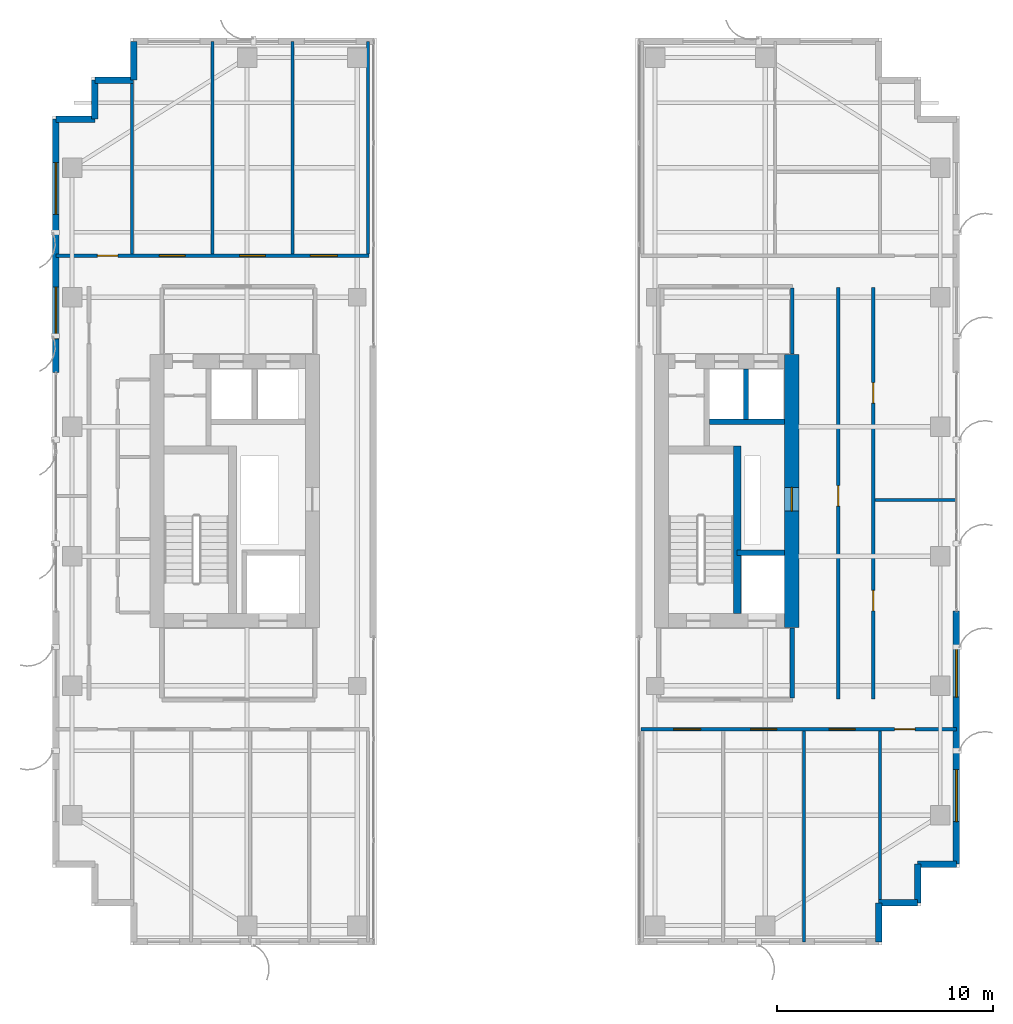
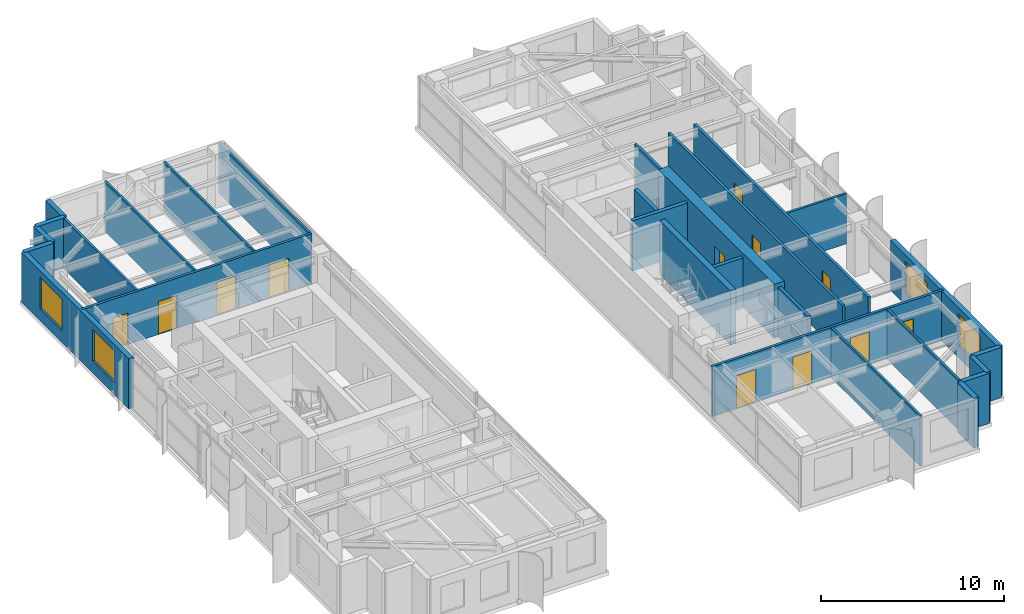
# One storey, part 18 of 22: 28 walls, 12 doors, 4 windows, 16 openings.
"""IFC4 building model written with IfcOpenShell, lengths in metres."""

from ifc_helpers import new_model, si_unit, direction, frame, frame_2d, origin, place, context, subcontext, project, spatial, rectangle, extrude, source, transform, mapped, material, layer, layer_set, type_object, element, fill, save


model = new_model("IFC4")

# Units and contexts
model_context = context("Model", 3, precision=1e-05, world=origin(), true_north=direction((0.0, 1.0)))
body_context = subcontext(model_context, "Body", "Model", "MODEL_VIEW")
ifc_project = project(units=[si_unit("LENGTHUNIT", "METRE"), si_unit("AREAUNIT", "SQUARE_METRE"), si_unit("VOLUMEUNIT", "CUBIC_METRE"), si_unit("PLANEANGLEUNIT", "RADIAN"), si_unit("MASSUNIT", "GRAM", prefix="KILO")], contexts=[model_context])

# Site, building, storey
site_placement = place(None, origin())
site = spatial("IfcSite", under=ifc_project, at=site_placement, CompositionType="ELEMENT")
building_placement = place(site_placement, origin())
building = spatial("IfcBuilding", under=site, at=building_placement, Name="Khoralis Quay Care Tower", CompositionType="ELEMENT")
storey_placement = place(building_placement, frame((0.0, 0.0, 195.300048828125)))
storey = spatial("IfcBuildingStorey", under=building, at=storey_placement, Name="L51", CompositionType="ELEMENT", Elevation=195.300048828125)

# Wall
ifc_material_1 = material(Name="Gypsum plasterboard on acoustic metal stud")
ifc_layer_1 = layer(ifc_material_1, 0.199951171875)
ifc_layer_set_1 = layer_set([ifc_layer_1], Name="Gypsum plasterboard on acoustic metal stud")
wall_type_1 = type_object("IfcWallType", Name="WL-COMP-200", PredefinedType="PARTITIONING", material=ifc_layer_set_1)
wall_1_placement = place(storey_placement, frame((37.25, 11.445068359375, 0.0), z_axis=(0.0, 0.0, 1.0), x_axis=(0.0, 1.0, 0.0)))
element("IfcWall", 1, at=wall_1_placement, inside=storey, type_object=wall_type_1, Name="L51 East Firefighting Lobby East Wall", PredefinedType="PARTITIONING", context=body_context, shape_type="SweptSolid", body=[
    extrude(rectangle(XDim=3.23486328125, YDim=0.199951171875, at=frame_2d((1.617431640625, 0.0))), origin(), (0.0, 0.0, 1.0), 3.33984375),
])

# Wall, opening, door
ifc_material_2 = material(Name="Concrete C65/80", Category="concrete")
ifc_layer_2 = layer(ifc_material_2, 0.64990234375)
ifc_layer_set_2 = layer_set([ifc_layer_2], Name="Concrete C65/80")
wall_type_2 = type_object("IfcWallType", Name="WL-CORE-650", PredefinedType="SHEAR", material=ifc_layer_set_2)
wall_2_placement = place(storey_placement, frame((37.22509765625, 14.699951171875, 0.0), z_axis=(0.0, 0.0, 1.0), x_axis=(0.0, 1.0, 0.0)))
wall_2 = element("IfcWall", 2, at=wall_2_placement, inside=storey, type_object=wall_type_2, Name="L51 ECORE East Shear Wall", PredefinedType="SHEAR", context=body_context, shape_type="SweptSolid", body=[
    extrude(rectangle(XDim=12.650146484375, YDim=0.64990234375, at=frame_2d((6.3251953125, 0.0))), origin(), (0.0, 0.0, 1.0), 3.599853515625),
])
opening_1_placement = place(wall_2_placement, frame((5.39990234375, 0.0, 0.0)))
opening_1 = element("IfcOpeningElement", 3, at=opening_1_placement, cuts=wall_2, Name="Opening SD1", PredefinedType="OPENING", context=body_context, shape_type="SweptSolid", body=[
    extrude(rectangle(XDim=1.10009765625, YDim=2.199951171875, at=frame_2d((0.550048828125, 1.10009765625))), frame((0.0, 0.3349609375, 0.0), z_axis=(0.0, -1.0, 0.0), x_axis=(1.0, 0.0, 0.0)), (0.0, 0.0, 1.0), 0.669921875),
])
ifc_material_3 = material(Name="Fire-rated painted steel", Category="steel")
door_type_1 = type_object("IfcDoorType", Name="DR-STAIR-1100X2200", OperationType="NOTDEFINED", PredefinedType="DOOR", material=ifc_material_3)
shared_shape_1 = source(origin(), body_context, "Body", "SweptSolid", [
    extrude(rectangle(XDim=1.10009765625, YDim=2.199951171875, at=frame_2d((0.550048828125, 1.10009765625))), frame((0.0, 0.02490234375, 0.0), z_axis=(0.0, -1.0, 0.0), x_axis=(1.0, 0.0, 0.0)), (0.0, 0.0, 1.0), 0.050048828125),
])
door_1_placement = place(opening_1_placement, frame((1.10009765625, 0.0, 0.0), z_axis=(0.0, 0.0, 1.0), x_axis=(-1.0, 0.0, 0.0)))
door_1 = element("IfcDoor", 4, at=door_1_placement, inside=storey, type_object=door_type_1, Name="L51 East MEP Riser Door", OperationType="SINGLE_SWING_RIGHT", OverallHeight=2.199951171875, OverallWidth=1.10009765625, PredefinedType="DOOR", context=body_context, shape_type="MappedRepresentation", body=[
    mapped(shared_shape_1, transform((0.0, 0.0, 0.0), scale=1.0)),
])
fill(opening_1, door_1)

# Wall
ifc_layer_3 = layer(ifc_material_1, 0.1650390625)
ifc_layer_set_3 = layer_set([ifc_layer_3], Name="Gypsum plasterboard on acoustic metal stud")
wall_type_3 = type_object("IfcWallType", Name="WL-CORR-165", PredefinedType="PARTITIONING", material=ifc_layer_set_3)
wall_3_placement = place(storey_placement, frame((37.25, 27.3701171875, 0.0), z_axis=(0.0, 0.0, 1.0), x_axis=(0.0, 1.0, 0.0)))
element("IfcWall", 5, at=wall_3_placement, inside=storey, type_object=wall_type_3, Name="L51 East Lift Lobby East Wall", PredefinedType="PARTITIONING", context=body_context, shape_type="SweptSolid", body=[
    extrude(rectangle(XDim=3.052490234375, YDim=0.1650390625, at=frame_2d((1.5263671875, 0.0))), origin(), (0.0, 0.0, 1.0), 3.33984375),
])

# Wall, openings, doors
wall_4_placement = place(storey_placement, frame((3.14501953125, 31.919921875, 0.0), z_axis=(0.0, 0.0, 1.0), x_axis=(1.0, 0.0, 0.0)))
wall_4 = element("IfcWall", 6, at=wall_4_placement, inside=storey, type_object=wall_type_3, Name="L51 West Wing North Corridor Wall", PredefinedType="PARTITIONING", context=body_context, shape_type="SweptSolid", body=[
    extrude(rectangle(XDim=14.5048828125, YDim=0.1650390625, at=frame_2d((7.25244140625, 0.0))), origin(), (0.0, 0.0, 1.0), 3.33984375),
])
opening_2_placement = place(wall_4_placement, frame((4.7900390625, 0.0, 0.0)))
opening_2 = element("IfcOpeningElement", 7, at=opening_2_placement, cuts=wall_4, Name="Opening FD1", PredefinedType="OPENING", context=body_context, shape_type="SweptSolid", body=[
    extrude(rectangle(XDim=1.199951171875, YDim=2.199951171875, at=frame_2d((0.60009765625, 1.10009765625))), frame((0.0, 0.092529296875, 0.0), z_axis=(0.0, -1.0, 0.0), x_axis=(1.0, 0.0, 0.0)), (0.0, 0.0, 1.0), 0.18505859375),
])
opening_3_placement = place(wall_4_placement, frame((8.5048828125, 0.0, 0.0)))
opening_3 = element("IfcOpeningElement", 8, at=opening_3_placement, cuts=wall_4, Name="Opening FD1", PredefinedType="OPENING", context=body_context, shape_type="SweptSolid", body=[
    extrude(rectangle(XDim=1.199951171875, YDim=2.199951171875, at=frame_2d((0.60009765625, 1.10009765625))), frame((0.0, 0.092529296875, 0.0), z_axis=(0.0, -1.0, 0.0), x_axis=(1.0, 0.0, 0.0)), (0.0, 0.0, 1.0), 0.18505859375),
])
opening_4_placement = place(wall_4_placement, frame((11.784912109375, 0.0, 0.0)))
opening_4 = element("IfcOpeningElement", 9, at=opening_4_placement, cuts=wall_4, Name="Opening CD1", PredefinedType="OPENING", context=body_context, shape_type="SweptSolid", body=[
    extrude(rectangle(XDim=1.25, YDim=2.199951171875, at=frame_2d((0.625, 1.10009765625))), frame((0.0, 0.092529296875, 0.0), z_axis=(0.0, -1.0, 0.0), x_axis=(1.0, 0.0, 0.0)), (0.0, 0.0, 1.0), 0.18505859375),
])
opening_5_placement = place(wall_4_placement, frame((1.919921875, 0.0, 0.0)))
opening_5 = element("IfcOpeningElement", 10, at=opening_5_placement, cuts=wall_4, Name="Opening ID1", PredefinedType="OPENING", context=body_context, shape_type="SweptSolid", body=[
    extrude(rectangle(XDim=0.949951171875, YDim=2.10009765625, at=frame_2d((0.47509765625, 1.050048828125))), frame((0.0, 0.092529296875, 0.0), z_axis=(0.0, -1.0, 0.0), x_axis=(1.0, 0.0, 0.0)), (0.0, 0.0, 1.0), 0.18505859375),
])
door_type_2 = type_object("IfcDoorType", Name="DR-FFL-1200X2200", OperationType="NOTDEFINED", PredefinedType="DOOR", material=ifc_material_3)
shared_shape_2 = source(origin(), body_context, "Body", "SweptSolid", [
    extrude(rectangle(XDim=1.199951171875, YDim=2.199951171875, at=frame_2d((0.60009765625, 1.10009765625))), frame((0.0, 0.02490234375, 0.0), z_axis=(0.0, -1.0, 0.0), x_axis=(1.0, 0.0, 0.0)), (0.0, 0.0, 1.0), 0.050048828125),
])
door_2_placement = place(opening_2_placement, origin())
door_2 = element("IfcDoor", 11, at=door_2_placement, inside=storey, type_object=door_type_2, Name="L51 Resident Communal Day Lounge Door", OperationType="DOUBLE_DOOR_SINGLE_SWING", OverallHeight=2.199951171875, OverallWidth=1.199951171875, PredefinedType="DOOR", context=body_context, shape_type="MappedRepresentation", body=[
    mapped(shared_shape_2, transform((0.0, 0.0, 0.0), scale=1.0)),
])
fill(opening_2, door_2)
door_3_placement = place(opening_3_placement, origin())
door_3 = element("IfcDoor", 12, at=door_3_placement, inside=storey, type_object=door_type_2, Name="L51 Resident Communal Day Lounge Door", OperationType="DOUBLE_DOOR_SINGLE_SWING", OverallHeight=2.199951171875, OverallWidth=1.199951171875, PredefinedType="DOOR", context=body_context, shape_type="MappedRepresentation", body=[
    mapped(shared_shape_2, transform((0.0, 0.0, 0.0), scale=1.0)),
])
fill(opening_3, door_3)
ifc_material_4 = material(Name="Acoustic hardwood timber", Category="wood")
door_type_3 = type_object("IfcDoorType", Name="DR-CARE-1250X2200", OperationType="NOTDEFINED", PredefinedType="DOOR", material=ifc_material_4)
shared_shape_3 = source(origin(), body_context, "Body", "SweptSolid", [
    extrude(rectangle(XDim=1.25, YDim=2.199951171875, at=frame_2d((0.625, 1.10009765625))), frame((0.0, 0.02490234375, 0.0), z_axis=(0.0, -1.0, 0.0), x_axis=(1.0, 0.0, 0.0)), (0.0, 0.0, 1.0), 0.050048828125),
])
door_4_placement = place(opening_4_placement, origin())
door_4 = element("IfcDoor", 13, at=door_4_placement, inside=storey, type_object=door_type_3, Name="L51 Physiotherapy Treatment Clinic Door", OperationType="SINGLE_SWING_RIGHT", OverallHeight=2.199951171875, OverallWidth=1.25, PredefinedType="DOOR", context=body_context, shape_type="MappedRepresentation", body=[
    mapped(shared_shape_3, transform((0.0, 0.0, 0.0), scale=1.0)),
])
fill(opening_4, door_4)
door_type_4 = type_object("IfcDoorType", Name="DR-ROOM-950X2100", OperationType="NOTDEFINED", PredefinedType="DOOR", material=ifc_material_4)
shared_shape_4 = source(origin(), body_context, "Body", "SweptSolid", [
    extrude(rectangle(XDim=0.949951171875, YDim=2.10009765625, at=frame_2d((0.47509765625, 1.050048828125))), frame((0.0, 0.02490234375, 0.0), z_axis=(0.0, -1.0, 0.0), x_axis=(1.0, 0.0, 0.0)), (0.0, 0.0, 1.0), 0.050048828125),
])
door_5_placement = place(opening_5_placement, origin())
door_5 = element("IfcDoor", 14, at=door_5_placement, inside=storey, type_object=door_type_4, Name="L51 NW Corner Door", OperationType="SINGLE_SWING_RIGHT", OverallHeight=2.10009765625, OverallWidth=0.949951171875, PredefinedType="DOOR", context=body_context, shape_type="MappedRepresentation", body=[
    mapped(shared_shape_4, transform((0.0, 0.0, 0.0), scale=1.0)),
])
fill(opening_5, door_5)

wall_5_placement = place(storey_placement, frame((30.25, 9.989990234375, 0.0), z_axis=(0.0, 0.0, 1.0), x_axis=(1.0, 0.0, 0.0)))
wall_5 = element("IfcWall", 15, at=wall_5_placement, inside=storey, type_object=wall_type_3, Name="L51 East Wing South Corridor Wall", PredefinedType="PARTITIONING", context=body_context, shape_type="SweptSolid", body=[
    extrude(rectangle(XDim=14.60498046875, YDim=0.1650390625, at=frame_2d((7.302490234375, 0.0))), origin(), (0.0, 0.0, 1.0), 3.33984375),
])
opening_6_placement = place(wall_5_placement, frame((1.5, 0.0, 0.0)))
opening_6 = element("IfcOpeningElement", 16, at=opening_6_placement, cuts=wall_5, Name="Opening CD1", PredefinedType="OPENING", context=body_context, shape_type="SweptSolid", body=[
    extrude(rectangle(XDim=1.25, YDim=2.199951171875, at=frame_2d((0.625, 1.10009765625))), frame((0.0, 0.092529296875, 0.0), z_axis=(0.0, -1.0, 0.0), x_axis=(1.0, 0.0, 0.0)), (0.0, 0.0, 1.0), 0.18505859375),
])
opening_7_placement = place(wall_5_placement, frame((5.070068359375, 0.0, 0.0)))
opening_7 = element("IfcOpeningElement", 17, at=opening_7_placement, cuts=wall_5, Name="Opening FD1", PredefinedType="OPENING", context=body_context, shape_type="SweptSolid", body=[
    extrude(rectangle(XDim=1.199951171875, YDim=2.199951171875, at=frame_2d((0.60009765625, 1.10009765625))), frame((0.0, 0.092529296875, 0.0), z_axis=(0.0, -1.0, 0.0), x_axis=(1.0, 0.0, 0.0)), (0.0, 0.0, 1.0), 0.18505859375),
])
opening_8_placement = place(wall_5_placement, frame((8.705078125, 0.0, 0.0)))
opening_8 = element("IfcOpeningElement", 18, at=opening_8_placement, cuts=wall_5, Name="Opening FD1", PredefinedType="OPENING", context=body_context, shape_type="SweptSolid", body=[
    extrude(rectangle(XDim=1.199951171875, YDim=2.199951171875, at=frame_2d((0.60009765625, 1.10009765625))), frame((0.0, 0.092529296875, 0.0), z_axis=(0.0, -1.0, 0.0), x_axis=(1.0, 0.0, 0.0)), (0.0, 0.0, 1.0), 0.18505859375),
])
opening_9_placement = place(wall_5_placement, frame((11.735107421875, 0.0, 0.0)))
opening_9 = element("IfcOpeningElement", 19, at=opening_9_placement, cuts=wall_5, Name="Opening ID1", PredefinedType="OPENING", context=body_context, shape_type="SweptSolid", body=[
    extrude(rectangle(XDim=0.949951171875, YDim=2.10009765625, at=frame_2d((0.47509765625, 1.050048828125))), frame((0.0, 0.092529296875, 0.0), z_axis=(0.0, -1.0, 0.0), x_axis=(1.0, 0.0, 0.0)), (0.0, 0.0, 1.0), 0.18505859375),
])
door_6_placement = place(opening_7_placement, frame((1.199951171875, 0.0, 0.0), z_axis=(0.0, 0.0, 1.0), x_axis=(-1.0, 0.0, 0.0)))
door_6 = element("IfcDoor", 20, at=door_6_placement, inside=storey, type_object=door_type_2, Name="L51 Assisted Communal Dining Room Door", OperationType="DOUBLE_DOOR_SINGLE_SWING", OverallHeight=2.199951171875, OverallWidth=1.199951171875, PredefinedType="DOOR", context=body_context, shape_type="MappedRepresentation", body=[
    mapped(shared_shape_2, transform((0.0, 0.0, 0.0), scale=1.0)),
])
fill(opening_7, door_6)
door_7_placement = place(opening_8_placement, frame((1.199951171875, 0.0, 0.0), z_axis=(0.0, 0.0, 1.0), x_axis=(-1.0, 0.0, 0.0)))
door_7 = element("IfcDoor", 21, at=door_7_placement, inside=storey, type_object=door_type_2, Name="L51 Resident Communal Day Lounge Door", OperationType="DOUBLE_DOOR_SINGLE_SWING", OverallHeight=2.199951171875, OverallWidth=1.199951171875, PredefinedType="DOOR", context=body_context, shape_type="MappedRepresentation", body=[
    mapped(shared_shape_2, transform((0.0, 0.0, 0.0), scale=1.0)),
])
fill(opening_8, door_7)
door_8_placement = place(opening_6_placement, frame((1.25, 0.0, 0.0), z_axis=(0.0, 0.0, 1.0), x_axis=(-1.0, 0.0, 0.0)))
door_8 = element("IfcDoor", 22, at=door_8_placement, inside=storey, type_object=door_type_3, Name="L51 Geriatric Consultation Clinic Door", OperationType="SINGLE_SWING_RIGHT", OverallHeight=2.199951171875, OverallWidth=1.25, PredefinedType="DOOR", context=body_context, shape_type="MappedRepresentation", body=[
    mapped(shared_shape_3, transform((0.0, 0.0, 0.0), scale=1.0)),
])
fill(opening_6, door_8)
door_9_placement = place(opening_9_placement, frame((0.949951171875, 0.0, 0.0), z_axis=(0.0, 0.0, 1.0), x_axis=(-1.0, 0.0, 0.0)))
door_9 = element("IfcDoor", 23, at=door_9_placement, inside=storey, type_object=door_type_4, Name="L51 SE Corner Door", OperationType="SINGLE_SWING_RIGHT", OverallHeight=2.10009765625, OverallWidth=0.949951171875, PredefinedType="DOOR", context=body_context, shape_type="MappedRepresentation", body=[
    mapped(shared_shape_4, transform((0.0, 0.0, 0.0), scale=1.0)),
])
fill(opening_9, door_9)

wall_6_placement = place(storey_placement, frame((41.0, 11.39990234375, 0.0), z_axis=(0.0, 0.0, 1.0), x_axis=(0.0, 1.0, 0.0)))
wall_6 = element("IfcWall", 24, at=wall_6_placement, inside=storey, type_object=wall_type_3, Name="L51 East Gallery Wall", PredefinedType="PARTITIONING", context=body_context, shape_type="SweptSolid", body=[
    extrude(rectangle(XDim=19.050048828125, YDim=0.1650390625, at=frame_2d((9.52490234375, 0.0))), origin(), (0.0, 0.0, 1.0), 3.33984375),
])
opening_10_placement = place(wall_6_placement, frame((4.074951171875, 0.0, 0.0)))
opening_10 = element("IfcOpeningElement", 25, at=opening_10_placement, cuts=wall_6, Name="Opening ID1", PredefinedType="OPENING", context=body_context, shape_type="SweptSolid", body=[
    extrude(rectangle(XDim=0.949951171875, YDim=2.10009765625, at=frame_2d((0.47509765625, 1.050048828125))), frame((0.0, 0.092529296875, 0.0), z_axis=(0.0, -1.0, 0.0), x_axis=(1.0, 0.0, 0.0)), (0.0, 0.0, 1.0), 0.18505859375),
])
opening_11_placement = place(wall_6_placement, frame((13.699951171875, 0.0, 0.0)))
opening_11 = element("IfcOpeningElement", 26, at=opening_11_placement, cuts=wall_6, Name="Opening ID1", PredefinedType="OPENING", context=body_context, shape_type="SweptSolid", body=[
    extrude(rectangle(XDim=0.949951171875, YDim=2.10009765625, at=frame_2d((0.47509765625, 1.050048828125))), frame((0.0, 0.092529296875, 0.0), z_axis=(0.0, -1.0, 0.0), x_axis=(1.0, 0.0, 0.0)), (0.0, 0.0, 1.0), 0.18505859375),
])
door_10_placement = place(opening_10_placement, origin())
door_10 = element("IfcDoor", 27, at=door_10_placement, inside=storey, type_object=door_type_4, Name="L51 East Waterfront Rehab Clinic Door", OperationType="SINGLE_SWING_LEFT", OverallHeight=2.10009765625, OverallWidth=0.949951171875, PredefinedType="DOOR", context=body_context, shape_type="MappedRepresentation", body=[
    mapped(shared_shape_4, transform((0.0, 0.0, 0.0), scale=1.0)),
])
fill(opening_10, door_10)
door_11_placement = place(opening_11_placement, origin())
door_11 = element("IfcDoor", 28, at=door_11_placement, inside=storey, type_object=door_type_4, Name="L51 East Bay Communal Dining Room Door", OperationType="SINGLE_SWING_RIGHT", OverallHeight=2.10009765625, OverallWidth=0.949951171875, PredefinedType="DOOR", context=body_context, shape_type="MappedRepresentation", body=[
    mapped(shared_shape_4, transform((0.0, 0.0, 0.0), scale=1.0)),
])
fill(opening_11, door_11)

# Wall, opening, door
wall_7_placement = place(storey_placement, frame((39.3798828125, 11.39990234375, 0.0), z_axis=(0.0, 0.0, 1.0), x_axis=(0.0, 1.0, 0.0)))
wall_7 = element("IfcWall", 29, at=wall_7_placement, inside=storey, type_object=wall_type_3, Name="L51 East Inner Clinic Wall", PredefinedType="PARTITIONING", context=body_context, shape_type="SweptSolid", body=[
    extrude(rectangle(XDim=19.050048828125, YDim=0.1650390625, at=frame_2d((9.52490234375, 0.0))), origin(), (0.0, 0.0, 1.0), 3.33984375),
])
opening_12_placement = place(wall_7_placement, frame((8.925048828125, 0.0, 0.0)))
opening_12 = element("IfcOpeningElement", 30, at=opening_12_placement, cuts=wall_7, Name="Opening ID1", PredefinedType="OPENING", context=body_context, shape_type="SweptSolid", body=[
    extrude(rectangle(XDim=0.949951171875, YDim=2.10009765625, at=frame_2d((0.47509765625, 1.050048828125))), frame((0.0, 0.092529296875, 0.0), z_axis=(0.0, -1.0, 0.0), x_axis=(1.0, 0.0, 0.0)), (0.0, 0.0, 1.0), 0.18505859375),
])
door_12_placement = place(opening_12_placement, frame((0.949951171875, 0.0, 0.0), z_axis=(0.0, 0.0, 1.0), x_axis=(-1.0, 0.0, 0.0)))
door_12 = element("IfcDoor", 31, at=door_12_placement, inside=storey, type_object=door_type_4, Name="L51 East Rehab Therapy Door", OperationType="SINGLE_SWING_LEFT", OverallHeight=2.10009765625, OverallWidth=0.949951171875, PredefinedType="DOOR", context=body_context, shape_type="MappedRepresentation", body=[
    mapped(shared_shape_4, transform((0.0, 0.0, 0.0), scale=1.0)),
])
fill(opening_12, door_12)

# Walls
ifc_material_5 = material(Name="Precast concrete C45/55", Category="concrete")
ifc_layer_4 = layer(ifc_material_5, 0.300048828125)
ifc_layer_set_4 = layer_set([ifc_layer_4], Name="Precast concrete C45/55")
wall_type_4 = type_object("IfcWallType", Name="WL-EXT-REF-300", PredefinedType="SOLIDWALL", material=ifc_layer_set_4)
for number, where, z_axis, x_axis, name in (
    (32, (6.75, 41.85009765625, 0.0), (0.0, 0.0, 1.0), (0.0, -1.0, 0.0), "L51 External Facade Wall WL-EXT-L51-P1-C3"),
    (33, (6.75, 40.050048828125, 0.0), (0.0, 0.0, 1.0), (-1.0, 0.0, 0.0), "L51 External Facade Wall WL-EXT-L51-P1-C4"),
    (34, (4.949951171875, 40.050048828125, 0.0), (0.0, 0.0, 1.0), (0.0, -1.0, 0.0), "L51 External Facade Wall WL-EXT-L51-P1-C5"),
    (35, (4.949951171875, 38.25, 0.0), (0.0, 0.0, 1.0), (-1.0, 0.0, 0.0), "L51 External Facade Wall WL-EXT-L51-P1-C6"),
):
    element("IfcWall", number, at=place(storey_placement, frame(where, z_axis=z_axis, x_axis=x_axis)), inside=storey, type_object=wall_type_4, Name=name, PredefinedType="SOLIDWALL", context=body_context, shape_type="SweptSolid", body=[
        extrude(rectangle(XDim=1.800048828125, YDim=0.300048828125, at=frame_2d((0.89990234375, 0.0))), origin(), (0.0, 0.0, 1.0), 3.33984375),
    ])

# Wall, openings, windows
wall_8_placement = place(storey_placement, frame((3.14990234375, 38.25, 0.0), z_axis=(0.0, 0.0, 1.0), x_axis=(0.0, -1.0, 0.0)))
wall_8 = element("IfcWall", 36, at=wall_8_placement, inside=storey, type_object=wall_type_4, Name="L51 External Facade Wall WL-EXT-L51-P1-E7A", PredefinedType="SOLIDWALL", context=body_context, shape_type="SweptSolid", body=[
    extrude(rectangle(XDim=11.72998046875, YDim=0.300048828125, at=frame_2d((5.864990234375, 0.0))), origin(), (0.0, 0.0, 1.0), 3.33984375),
])
opening_13_placement = place(wall_8_placement, frame((2.014892578125, 0.0, 0.800048828125)))
opening_13 = element("IfcOpeningElement", 37, at=opening_13_placement, cuts=wall_8, Name="Opening W1", PredefinedType="OPENING", context=body_context, shape_type="SweptSolid", body=[
    extrude(rectangle(XDim=2.39990234375, YDim=2.10009765625, at=frame_2d((1.199951171875, 1.050048828125))), frame((0.0, 0.16015625, 0.0), z_axis=(0.0, -1.0, 0.0), x_axis=(1.0, 0.0, 0.0)), (0.0, 0.0, 1.0), 0.320068359375),
])
opening_14_placement = place(wall_8_placement, frame((7.780029296875, 0.0, 0.800048828125)))
opening_14 = element("IfcOpeningElement", 38, at=opening_14_placement, cuts=wall_8, Name="Opening W1", PredefinedType="OPENING", context=body_context, shape_type="SweptSolid", body=[
    extrude(rectangle(XDim=2.39990234375, YDim=2.10009765625, at=frame_2d((1.199951171875, 1.050048828125))), frame((0.0, 0.16015625, 0.0), z_axis=(0.0, -1.0, 0.0), x_axis=(1.0, 0.0, 0.0)), (0.0, 0.0, 1.0), 0.320068359375),
])
ifc_material_6 = material(Name="Low-E solar-control double glazing", Category="glass")
window_type = type_object("IfcWindowType", Name="WN-POD-2400X2100", PartitioningType="SINGLE_PANEL", PredefinedType="WINDOW", material=ifc_material_6)
shared_shape_5 = source(origin(), body_context, "Body", "SweptSolid", [
    extrude(rectangle(XDim=2.39990234375, YDim=2.10009765625, at=frame_2d((1.199951171875, 1.050048828125))), frame((0.0, 0.030029296875, 0.0), z_axis=(0.0, -1.0, 0.0), x_axis=(1.0, 0.0, 0.0)), (0.0, 0.0, 1.0), 0.06005859375),
])
window_1_placement = place(opening_13_placement, origin())
window_1 = element("IfcWindow", 39, at=window_1_placement, inside=storey, type_object=window_type, Name="WN-L51-P1-E7A Facade Window 01", OverallHeight=2.10009765625, OverallWidth=2.39990234375, PartitioningType="SINGLE_PANEL", PredefinedType="WINDOW", context=body_context, shape_type="MappedRepresentation", body=[
    mapped(shared_shape_5, transform((0.0, 0.0, 0.0), scale=1.0)),
])
fill(opening_13, window_1)
window_2_placement = place(opening_14_placement, origin())
window_2 = element("IfcWindow", 40, at=window_2_placement, inside=storey, type_object=window_type, Name="WN-L51-P1-E7A Facade Window 02", OverallHeight=2.10009765625, OverallWidth=2.39990234375, PartitioningType="SINGLE_PANEL", PredefinedType="WINDOW", context=body_context, shape_type="MappedRepresentation", body=[
    mapped(shared_shape_5, transform((0.0, 0.0, 0.0), scale=1.0)),
])
fill(opening_14, window_2)

# Walls
for number, where, z_axis, x_axis, name in (
    (41, (41.25, 0.14990234375, 0.0), (0.0, 0.0, 1.0), (0.0, 1.0, 0.0), "L51 External Facade Wall WL-EXT-L51-P2-C1"),
    (42, (41.25, 1.949951171875, 0.0), (0.0, 0.0, 1.0), (1.0, 0.0, 0.0), "L51 External Facade Wall WL-EXT-L51-P2-C2"),
    (43, (43.050048828125, 1.949951171875, 0.0), (0.0, 0.0, 1.0), (0.0, 1.0, 0.0), "L51 External Facade Wall WL-EXT-L51-P2-C3"),
    (44, (43.050048828125, 3.75, 0.0), (0.0, 0.0, 1.0), (1.0, 0.0, 0.0), "L51 External Facade Wall WL-EXT-L51-P2-C4"),
):
    element("IfcWall", number, at=place(storey_placement, frame(where, z_axis=z_axis, x_axis=x_axis)), inside=storey, type_object=wall_type_4, Name=name, PredefinedType="SOLIDWALL", context=body_context, shape_type="SweptSolid", body=[
        extrude(rectangle(XDim=1.800048828125, YDim=0.300048828125, at=frame_2d((0.89990234375, 0.0))), origin(), (0.0, 0.0, 1.0), 3.33984375),
    ])

# Wall, openings, windows
wall_9_placement = place(storey_placement, frame((44.85009765625, 3.75, 0.0), z_axis=(0.0, 0.0, 1.0), x_axis=(0.0, 1.0, 0.0)))
wall_9 = element("IfcWall", 45, at=wall_9_placement, inside=storey, type_object=wall_type_4, Name="L51 External Facade Wall WL-EXT-L51-P2-E5A", PredefinedType="SOLIDWALL", context=body_context, shape_type="SweptSolid", body=[
    extrude(rectangle(XDim=11.72998046875, YDim=0.300048828125, at=frame_2d((5.864990234375, 0.0))), origin(), (0.0, 0.0, 1.0), 3.33984375),
])
opening_15_placement = place(wall_9_placement, frame((1.969970703125, 0.0, 0.800048828125)))
opening_15 = element("IfcOpeningElement", 46, at=opening_15_placement, cuts=wall_9, Name="Opening W1", PredefinedType="OPENING", context=body_context, shape_type="SweptSolid", body=[
    extrude(rectangle(XDim=2.39990234375, YDim=2.10009765625, at=frame_2d((1.199951171875, 1.050048828125))), frame((0.0, 0.16015625, 0.0), z_axis=(0.0, -1.0, 0.0), x_axis=(1.0, 0.0, 0.0)), (0.0, 0.0, 1.0), 0.320068359375),
])
opening_16_placement = place(wall_9_placement, frame((7.735107421875, 0.0, 0.800048828125)))
opening_16 = element("IfcOpeningElement", 47, at=opening_16_placement, cuts=wall_9, Name="Opening W1", PredefinedType="OPENING", context=body_context, shape_type="SweptSolid", body=[
    extrude(rectangle(XDim=2.39990234375, YDim=2.10009765625, at=frame_2d((1.199951171875, 1.050048828125))), frame((0.0, 0.16015625, 0.0), z_axis=(0.0, -1.0, 0.0), x_axis=(1.0, 0.0, 0.0)), (0.0, 0.0, 1.0), 0.320068359375),
])
window_3_placement = place(opening_15_placement, origin())
window_3 = element("IfcWindow", 48, at=window_3_placement, inside=storey, type_object=window_type, Name="WN-L51-P2-E5A Facade Window 01", OverallHeight=2.10009765625, OverallWidth=2.39990234375, PartitioningType="SINGLE_PANEL", PredefinedType="WINDOW", context=body_context, shape_type="MappedRepresentation", body=[
    mapped(shared_shape_5, transform((0.0, 0.0, 0.0), scale=1.0)),
])
fill(opening_15, window_3)
window_4_placement = place(opening_16_placement, origin())
window_4 = element("IfcWindow", 49, at=window_4_placement, inside=storey, type_object=window_type, Name="WN-L51-P2-E5A Facade Window 02", OverallHeight=2.10009765625, OverallWidth=2.39990234375, PartitioningType="SINGLE_PANEL", PredefinedType="WINDOW", context=body_context, shape_type="MappedRepresentation", body=[
    mapped(shared_shape_5, transform((0.0, 0.0, 0.0), scale=1.0)),
])
fill(opening_16, window_4)

# Walls
ifc_material_7 = material(Name="Concrete C40/50", Category="concrete")
ifc_layer_5 = layer(ifc_material_7, 0.35009765625)
ifc_layer_set_5 = layer_set([ifc_layer_5], Name="Concrete C40/50")
wall_type_5 = type_object("IfcWallType", Name="WL-SC-CORE-350", PredefinedType="SHEAR", material=ifc_layer_set_5)
wall_10_placement = place(storey_placement, frame((34.695068359375, 15.35009765625, 0.0), z_axis=(0.0, 0.0, 1.0), x_axis=(0.0, 1.0, 0.0)))
element("IfcWall", 50, at=wall_10_placement, inside=storey, type_object=wall_type_5, Name="L51 Stair ST-T2 Shear Baffle Wall East", PredefinedType="SHEAR", context=body_context, shape_type="SweptSolid", body=[
    extrude(rectangle(XDim=7.75, YDim=0.35009765625, at=frame_2d((3.875, 0.0))), origin(), (0.0, 0.0, 1.0), 3.599853515625),
])
ifc_layer_6 = layer(ifc_material_1, 0.239990234375)
ifc_layer_set_6 = layer_set([ifc_layer_6], Name="Gypsum plasterboard on acoustic metal stud")
wall_type_6 = type_object("IfcWallType", Name="WL-SHAFT-240", PredefinedType="PARTITIONING", material=ifc_layer_set_6)
wall_11_placement = place(storey_placement, frame((34.679931640625, 18.169921875, 0.0), z_axis=(0.0, 0.0, 1.0), x_axis=(1.0, 0.0, 0.0)))
element("IfcWall", 51, at=wall_11_placement, inside=storey, type_object=wall_type_6, Name="L51 FFL-2 Shaft Wall North", PredefinedType="PARTITIONING", context=body_context, shape_type="SweptSolid", body=[
    extrude(rectangle(XDim=2.199951171875, YDim=0.239990234375, at=frame_2d((1.10009765625, 0.0))), origin(), (0.0, 0.0, 1.0), 3.33984375),
])
wall_12_placement = place(storey_placement, frame((33.405029296875, 24.22998046875, 0.0), z_axis=(0.0, 0.0, 1.0), x_axis=(1.0, 0.0, 0.0)))
element("IfcWall", 52, at=wall_12_placement, inside=storey, type_object=wall_type_6, Name="L51 Active Shaft South Wall East", PredefinedType="PARTITIONING", context=body_context, shape_type="SweptSolid", body=[
    extrude(rectangle(XDim=3.474853515625, YDim=0.239990234375, at=frame_2d((1.7373046875, 0.0))), origin(), (0.0, 0.0, 1.0), 3.33984375),
])
wall_13_placement = place(storey_placement, frame((35.110107421875, 24.344970703125, 0.0), z_axis=(0.0, 0.0, 1.0), x_axis=(0.0, 1.0, 0.0)))
element("IfcWall", 53, at=wall_13_placement, inside=storey, type_object=wall_type_6, Name="L51 East Shaft Divider 2", PredefinedType="PARTITIONING", context=body_context, shape_type="SweptSolid", body=[
    extrude(rectangle(XDim=2.3349609375, YDim=0.239990234375, at=frame_2d((1.16748046875, 0.0))), origin(), (0.0, 0.0, 1.0), 3.33984375),
])
ifc_layer_7 = layer(ifc_material_1, 0.139892578125)
ifc_layer_set_7 = layer_set([ifc_layer_7], Name="Gypsum plasterboard on acoustic metal stud")
wall_type_7 = type_object("IfcWallType", Name="WL-UNIT-140", PredefinedType="PARTITIONING", material=ifc_layer_set_7)
wall_14_placement = place(storey_placement, frame((41.077392578125, 20.60009765625, 0.0), z_axis=(0.0, 0.0, 1.0), x_axis=(1.0, 0.0, 0.0)))
element("IfcWall", 54, at=wall_14_placement, inside=storey, type_object=wall_type_7, Name="L51 East Mid Split", PredefinedType="PARTITIONING", context=body_context, shape_type="SweptSolid", body=[
    extrude(rectangle(XDim=3.777587890625, YDim=0.139892578125, at=frame_2d((1.888671875, 0.0))), origin(), (0.0, 0.0, 1.0), 3.33984375),
])
wall_15_placement = place(storey_placement, frame((6.679931640625, 31.99755859375, 0.0), z_axis=(0.0, 0.0, 1.0), x_axis=(0.0, 1.0, 0.0)))
element("IfcWall", 55, at=wall_15_placement, inside=storey, type_object=wall_type_7, Name="L51 WN Demising Wall 0", PredefinedType="PARTITIONING", context=body_context, shape_type="SweptSolid", body=[
    extrude(rectangle(XDim=8.057373046875, YDim=0.139892578125, at=frame_2d((4.02880859375, 0.0))), origin(), (0.0, 0.0, 1.0), 3.33984375),
])
for number, where, z_axis, x_axis, name in (
    (56, (10.389892578125, 31.99755859375, 0.0), (0.0, 0.0, 1.0), (0.0, 1.0, 0.0), "L51 WN Demising Wall 1"),
    (57, (14.110107421875, 31.99755859375, 0.0), (0.0, 0.0, 1.0), (0.0, 1.0, 0.0), "L51 WN Demising Wall 2"),
    (58, (17.60009765625, 31.99755859375, 0.0), (0.0, 0.0, 1.0), (0.0, 1.0, 0.0), "L51 WN Demising Wall 3"),
):
    element("IfcWall", number, at=place(storey_placement, frame(where, z_axis=z_axis, x_axis=x_axis)), inside=storey, type_object=wall_type_7, Name=name, PredefinedType="PARTITIONING", context=body_context, shape_type="SweptSolid", body=[
        extrude(rectangle(XDim=9.857421875, YDim=0.139892578125, at=frame_2d((4.9287109375, 0.0))), origin(), (0.0, 0.0, 1.0), 3.33984375),
    ])
wall_16_placement = place(storey_placement, frame((37.7900390625, 0.14501953125, 0.0), z_axis=(0.0, 0.0, 1.0), x_axis=(0.0, 1.0, 0.0)))
element("IfcWall", 59, at=wall_16_placement, inside=storey, type_object=wall_type_7, Name="L51 ES Demising Wall 2", PredefinedType="PARTITIONING", context=body_context, shape_type="SweptSolid", body=[
    extrude(rectangle(XDim=9.767578125, YDim=0.139892578125, at=frame_2d((4.8837890625, 0.0))), origin(), (0.0, 0.0, 1.0), 3.33984375),
])
wall_17_placement = place(storey_placement, frame((41.320068359375, 1.945068359375, 0.0), z_axis=(0.0, 0.0, 1.0), x_axis=(0.0, 1.0, 0.0)))
element("IfcWall", 60, at=wall_17_placement, inside=storey, type_object=wall_type_7, Name="L51 ES Demising Wall 3", PredefinedType="PARTITIONING", context=body_context, shape_type="SweptSolid", body=[
    extrude(rectangle(XDim=7.967529296875, YDim=0.139892578125, at=frame_2d((3.98388671875, 0.0))), origin(), (0.0, 0.0, 1.0), 3.33984375),
])

save(model, "model.ifc")
